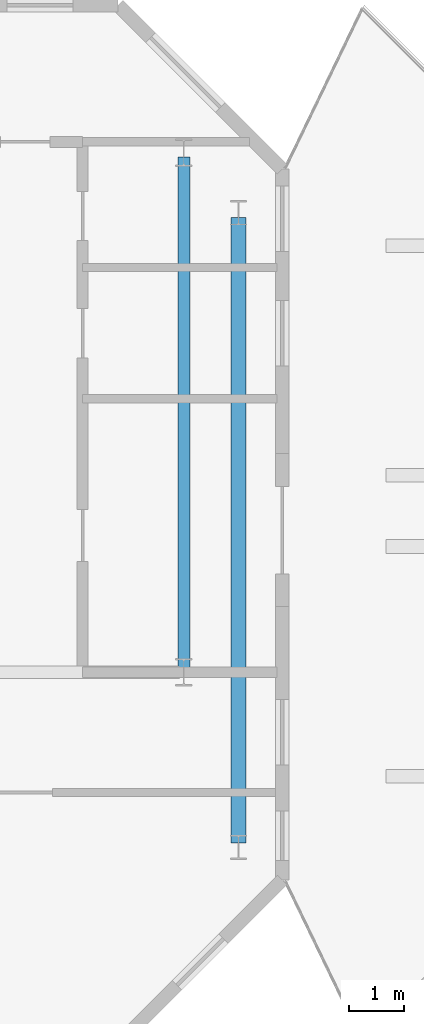
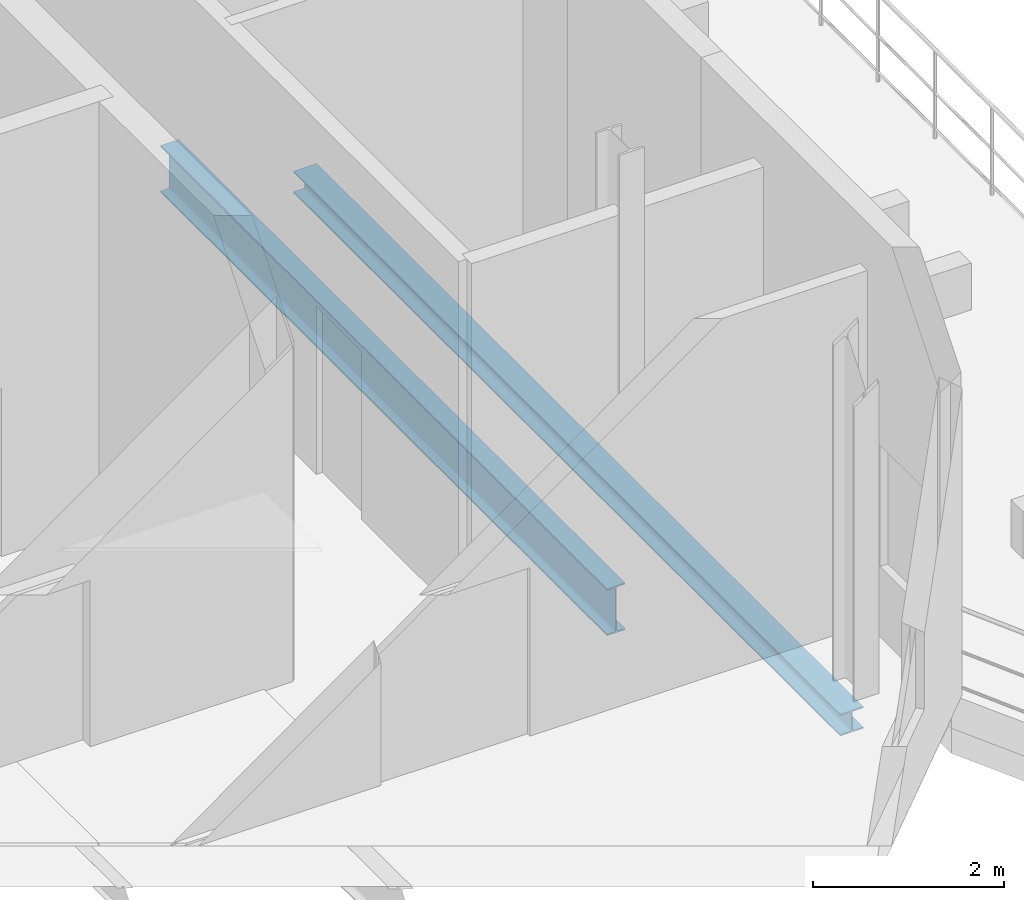
# One storey, part 11 of 17: 2 beams.
"""IFC4 building model written with IfcOpenShell, lengths in metres."""

from ifc_helpers import new_model, si_unit, direction, frame, origin, origin_2d, place, context, subcontext, project, spatial, i_section, extrude, material, material_profile, profile_set, type_object, element, save


model = new_model("IFC4")

# Units and contexts
model_context = context("Model", 3, precision=1e-05, world=origin(), true_north=direction((0.0, 1.0)))
body_context = subcontext(model_context, "Body", "Model", "MODEL_VIEW")
ifc_project = project(units=[si_unit("LENGTHUNIT", "METRE"), si_unit("AREAUNIT", "SQUARE_METRE"), si_unit("VOLUMEUNIT", "CUBIC_METRE"), si_unit("PLANEANGLEUNIT", "RADIAN"), si_unit("MASSUNIT", "GRAM", prefix="KILO")], contexts=[model_context])

# Site, building, storey
site_placement = place(None, origin())
site = spatial("IfcSite", under=ifc_project, at=site_placement, CompositionType="ELEMENT")
building_placement = place(site_placement, origin())
building = spatial("IfcBuilding", under=site, at=building_placement, Name="Catumbela Crestline Tower", CompositionType="ELEMENT")
storey_placement = place(building_placement, frame((0.0, 0.0, 213.0)))
storey = spatial("IfcBuildingStorey", under=building, at=storey_placement, Name="L55", CompositionType="ELEMENT", Elevation=213.0)

# Beams
ifc_material = material(Name="Structural steel S355J2", Category="steel")
ifc_material_profile_1 = material_profile(ifc_material, i_section(OverallWidth=0.22, OverallDepth=0.6, WebThickness=0.012, FlangeThickness=0.019, FilletRadius=0.024, at=origin_2d()), Name="IPE 600")
ifc_profile_set_1 = profile_set([ifc_material_profile_1], Name="Structural steel S355J2")
beam_type_1 = type_object("IfcBeamType", Name="BG-IPE600", PredefinedType="BEAM", material=ifc_profile_set_1)
beam_1_placement = place(storey_placement, frame((44.2, 30.88, -0.65), z_axis=(0.0, 1.0, 0.0), x_axis=(-1.0, 0.0, 0.0)))
element("IfcBeam", 1, at=beam_1_placement, inside=storey, type_object=beam_type_1, Name="L55 Beam BM-L55-SN19", PredefinedType="BEAM", context=body_context, shape_type="SweptSolid", body=[
    extrude(i_section(OverallWidth=0.22, OverallDepth=0.6, WebThickness=0.012, FlangeThickness=0.019, FilletRadius=0.024, at=origin_2d()), origin(), (0.0, 0.0, 1.0), 9.34),
])
ifc_material_profile_2 = material_profile(ifc_material, i_section(OverallWidth=0.28, OverallDepth=0.28, WebThickness=0.0105, FlangeThickness=0.018, FilletRadius=0.024, at=origin_2d()), Name="HEB 280")
ifc_profile_set_2 = profile_set([ifc_material_profile_2], Name="Structural steel S355J2")
beam_type_2 = type_object("IfcBeamType", Name="BS-HEB280", PredefinedType="SPANDREL", material=ifc_profile_set_2)
beam_2_placement = place(storey_placement, frame((45.2, 27.68, -0.49), z_axis=(0.0, 1.0, 0.0), x_axis=(-1.0, 0.0, 0.0)))
element("IfcBeam", 2, at=beam_2_placement, inside=storey, type_object=beam_type_2, Name="L55 Spandrel SP-L55-SN20", PredefinedType="SPANDREL", context=body_context, shape_type="SweptSolid", body=[
    extrude(i_section(OverallWidth=0.28, OverallDepth=0.28, WebThickness=0.0105, FlangeThickness=0.018, FilletRadius=0.024, at=origin_2d()), origin(), (0.0, 0.0, 1.0), 11.44),
])

save(model, "model.ifc")
